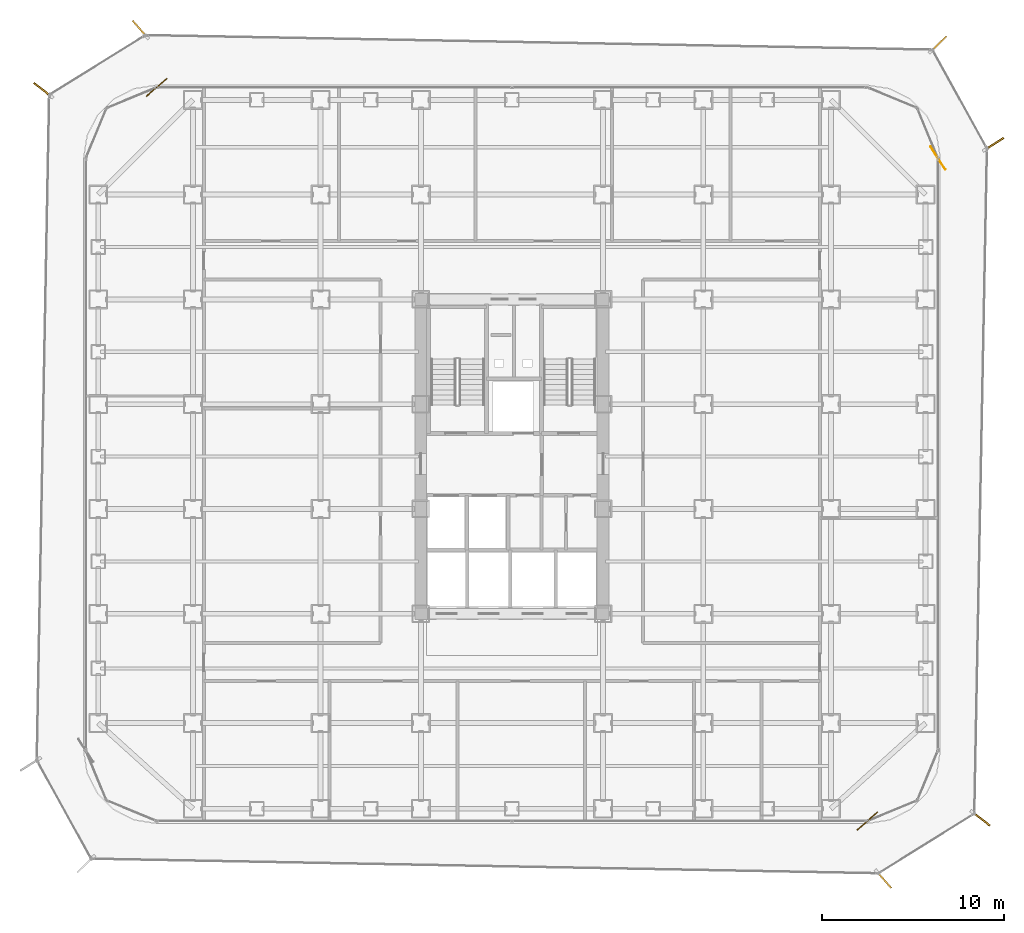
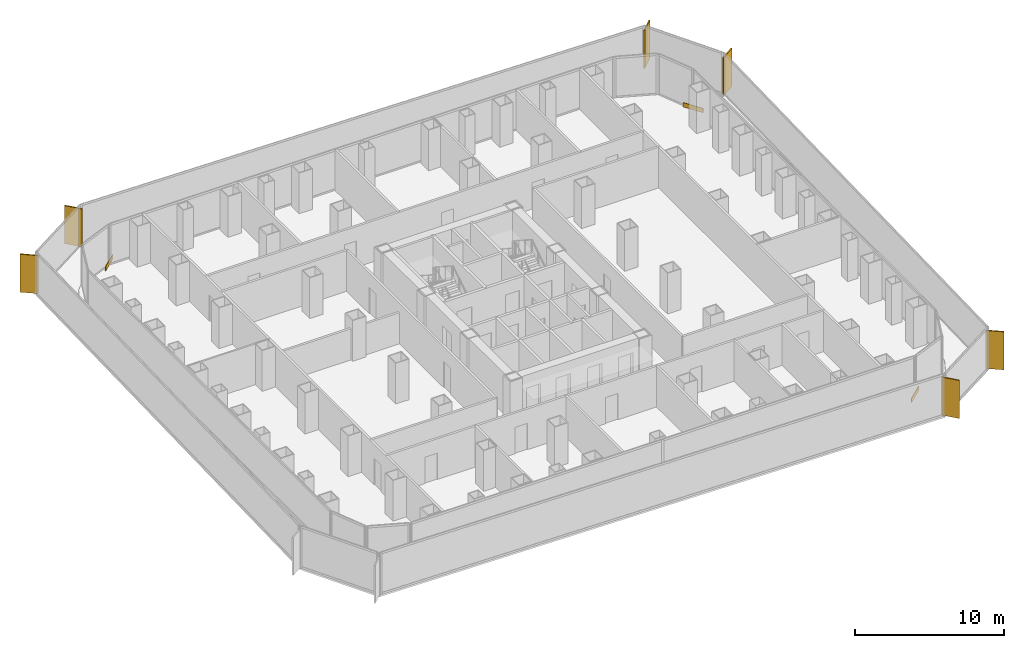
# One storey, part 22 of 22: 6 shading devices, 3 coverings.
"""IFC4 building model written with IfcOpenShell, lengths in metres."""

from ifc_helpers import new_model, si_unit, direction, frame, origin, origin_2d, place, context, subcontext, project, spatial, rectangle, extrude, source, transform, mapped, material, layer, layer_set, type_object, element, save


model = new_model("IFC4")

# Units and contexts
model_context = context("Model", 3, precision=1e-05, world=origin(), true_north=direction((0.0, 1.0)))
body_context = subcontext(model_context, "Body", "Model", "MODEL_VIEW")
ifc_project = project(units=[si_unit("LENGTHUNIT", "METRE"), si_unit("AREAUNIT", "SQUARE_METRE"), si_unit("VOLUMEUNIT", "CUBIC_METRE"), si_unit("PLANEANGLEUNIT", "RADIAN"), si_unit("MASSUNIT", "GRAM", prefix="KILO")], contexts=[model_context])

# Site, building, storey
site_placement = place(None, origin())
site = spatial("IfcSite", under=ifc_project, at=site_placement, CompositionType="ELEMENT")
building_placement = place(site_placement, origin())
building = spatial("IfcBuilding", under=site, at=building_placement, Name="Kolveth Station Tower", CompositionType="ELEMENT")
storey_placement = place(building_placement, frame((0.0, 0.0, 81.0)))
storey = spatial("IfcBuildingStorey", under=building, at=storey_placement, Name="L21", CompositionType="ELEMENT", Elevation=81.0)

# Shading devices
ifc_material_1 = material(Name="Black anodized aluminium 6063-T6", Category="aluminium")
shading_device_type = type_object("IfcShadingDeviceType", Name="FIN_VF1", PredefinedType="USERDEFINED", material=ifc_material_1)
shared_shape_1 = source(origin(), body_context, "Body", "SweptSolid", [
    extrude(rectangle(XDim=1.25, YDim=0.090087890625, at=origin_2d()), origin(), (0.0, 0.0, 1.0), 3.10009765625),
])
for number, where, z_axis, x_axis, name in (
    (1, (43.908935546875, -3.0849609375, 0.0), (0.0, 0.0, 1.0), (0.65829540632, -0.752759694735, 0.0), "L21 Dark-Aluminium Solar Fin 1"),
    (2, (49.235107421875, 0.258056640625, 0.0), (0.0, 0.0, 1.0), (0.789726930011, -0.613458536509, 0.0), "L21 Dark-Aluminium Solar Fin 2"),
    (3, (49.950927734375, 37.27587890625, 0.0), (0.0, 0.0, 1.0), (0.840850126015, 0.541268016402, 0.0), "L21 Dark-Aluminium Solar Fin 3"),
    (4, (46.902099609375, 42.759033203125, 0.0), (0.0, 0.0, 1.0), (0.720672122155, 0.693276057822, 0.0), "L21 Dark-Aluminium Solar Fin 4"),
    (5, (3.091064453125, 43.58203125, 0.0), (0.0, 0.0, 1.0), (-0.658426777644, 0.752644789048, 0.0), "L21 Dark-Aluminium Solar Fin 5"),
    (6, (-2.239990234375, 40.2451171875, 0.0), (0.0, 0.0, 1.0), (-0.789726930011, 0.613458536509, 0.0), "L21 Dark-Aluminium Solar Fin 6"),
):
    element("IfcShadingDevice", number, at=place(storey_placement, frame(where, z_axis=z_axis, x_axis=x_axis)), inside=storey, type_object=shading_device_type, Name=name, ObjectType="FIN", PredefinedType="USERDEFINED", context=body_context, shape_type="MappedRepresentation", body=[
        mapped(shared_shape_1, transform((0.0, 0.0, 0.0), x_axis=(1.0, 0.0, 0.0), y_axis=(0.0, 1.0, 0.0), z_axis=(0.0, 0.0, 1.0), scale=1.0)),
    ])

# Coverings
ifc_material_2 = material(Name="Charcoal anodized aluminium spandrel cladding", Category="aluminium")
ifc_layer = layer(ifc_material_2, 0.044921875)
ifc_layer_set = layer_set([ifc_layer], Name="Charcoal anodized aluminium spandrel cladding")
covering_type = type_object("IfcCoveringType", Name="Clad_CD1", PredefinedType="CLADDING", material=ifc_layer_set)
shared_shape_2 = source(origin(), body_context, "Body", "SweptSolid", [
    extrude(rectangle(XDim=1.5, YDim=0.044921875, at=origin_2d()), origin(), (0.0, 0.0, 1.0), 0.360107421875),
])
for number, where, z_axis, x_axis, name in (
    (7, (43.0, 0.1201171875, 0.0), (0.0, 0.0, 1.0), (0.752759694735, 0.65829540632, 0.0), "L21 Spandrel Edge Cladding 1"),
    (8, (46.8798828125, 36.5, 0.0), (0.0, 0.0, 1.0), (-0.541268016402, 0.840850126015, 0.0), "L21 Spandrel Edge Cladding 3"),
    (9, (4.0, 40.3798828125, 0.0), (0.0, 0.0, 1.0), (-0.752644789048, -0.658426777644, 0.0), "L21 Spandrel Edge Cladding 5"),
):
    element("IfcCovering", number, at=place(storey_placement, frame(where, z_axis=z_axis, x_axis=x_axis)), inside=storey, type_object=covering_type, Name=name, PredefinedType="CLADDING", context=body_context, shape_type="MappedRepresentation", body=[
        mapped(shared_shape_2, transform((0.0, 0.0, 0.0), x_axis=(1.0, 0.0, 0.0), y_axis=(0.0, 1.0, 0.0), z_axis=(0.0, 0.0, 1.0), scale=1.0)),
    ])

save(model, "model.ifc")
